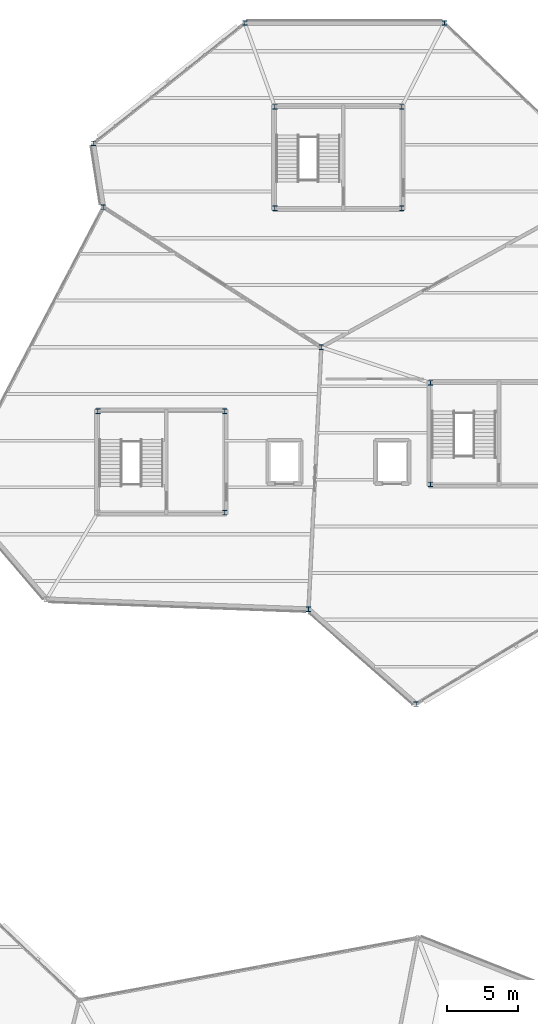
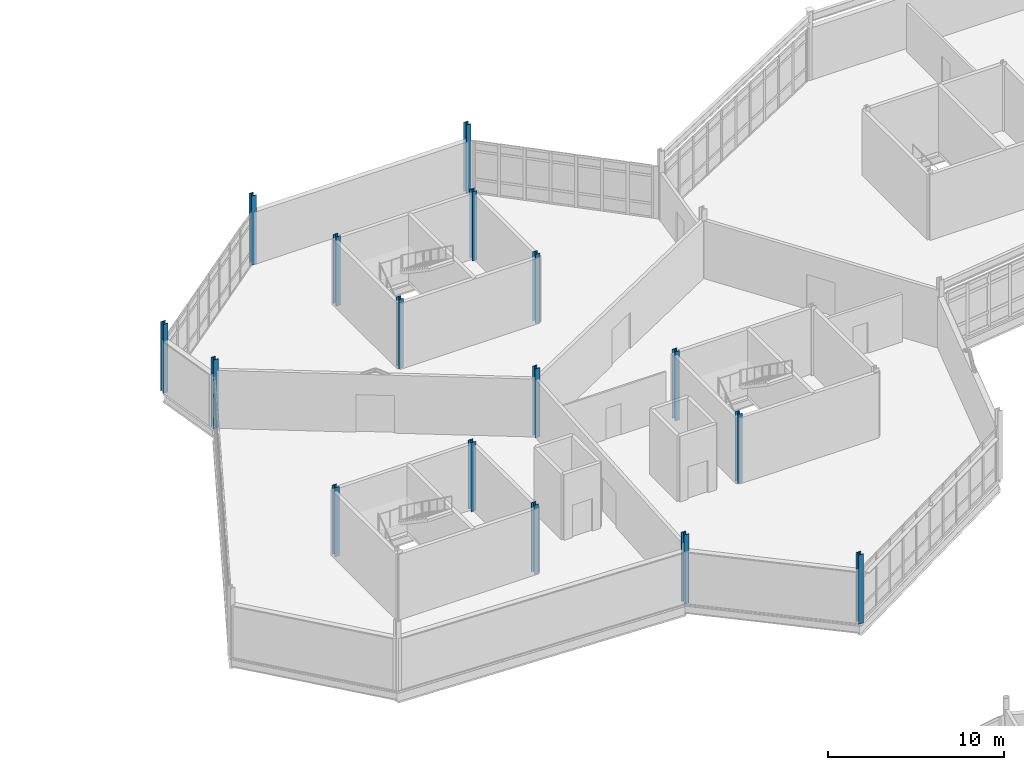
# One storey, part 15 of 114: 16 columns.
"""IFC4 building model written with IfcOpenShell, lengths in metres."""

from ifc_helpers import new_model, si_unit, direction, frame, origin, origin_2d, place, context, subcontext, project, spatial, i_section, extrude, material, material_profile, profile_set, type_object, element, save


model = new_model("IFC4")

# Units and contexts
model_context = context("Model", 3, precision=1e-05, world=origin(), true_north=direction((0.0, 1.0)))
body_context = subcontext(model_context, "Body", "Model", "MODEL_VIEW")
ifc_project = project(units=[si_unit("LENGTHUNIT", "METRE"), si_unit("AREAUNIT", "SQUARE_METRE"), si_unit("VOLUMEUNIT", "CUBIC_METRE"), si_unit("PLANEANGLEUNIT", "RADIAN"), si_unit("MASSUNIT", "GRAM", prefix="KILO")], contexts=[model_context])

# Site, building, storey
site_placement = place(None, origin())
site = spatial("IfcSite", under=ifc_project, at=site_placement, CompositionType="ELEMENT")
building_placement = place(site_placement, origin())
building = spatial("IfcBuilding", under=site, at=building_placement, Name="Tameran Prism Museum", CompositionType="ELEMENT")
storey_placement = place(building_placement, frame((0.0, 0.0, 10.199951171875)))
storey = spatial("IfcBuildingStorey", under=building, at=storey_placement, Name="L02", CompositionType="ELEMENT", Elevation=10.199951171875)

# Columns
ifc_material = material(Name="Steel Grade 350 (350 MPa)", Category="steel")
ifc_material_profile = material_profile(ifc_material, i_section(OverallWidth=0.31103515625, OverallDepth=0.326904296875, WebThickness=0.015625, FlangeThickness=0.02490234375, FilletRadius=0.0166015625, at=origin_2d()))
ifc_profile_set = profile_set([ifc_material_profile])
column_type = type_object("IfcColumnType", Name="COL-UC310A", PredefinedType="COLUMN", material=ifc_profile_set)
for number, where, z_axis, x_axis, name in (
    (1, (102.699951171875, 103.5, 0.0), (0.0, 0.0, 1.0), (1.0, 0.0, 0.0), "Column CV-42 L02"),
    (2, (103.39990234375, 99.0, 0.0), (0.0, 0.0, 1.0), (1.0, 0.0, 0.0), "Column CV-43 L02"),
    (3, (113.39990234375, 112.0, 0.0), (0.0, 0.0, 1.0), (1.0, 0.0, 0.0), "Column CV-45 L02"),
    (4, (117.89990234375, 70.60009765625, 0.0), (0.0, 0.0, 1.0), (1.0, 0.0, 0.0), "Column CV-46 L02"),
    (5, (118.800048828125, 89.10009765625, 0.0), (0.0, 0.0, 1.0), (1.0, 0.0, 0.0), "Column CV-47 L02"),
    (6, (125.5, 63.89990234375, 0.0), (0.0, 0.0, 1.0), (1.0, 0.0, 0.0), "Column CV-49 L02"),
    (7, (127.5, 112.0, 0.0), (0.0, 0.0, 1.0), (1.0, 0.0, 0.0), "Column CV-51 L02"),
    (8, (111.97998046875, 77.419921875, 0.0), (0.0, 0.0, 1.0), (1.0, 0.0, 0.0), "Column CC-1-2 L02"),
    (9, (111.97998046875, 84.580078125, 0.0), (0.0, 0.0, 1.0), (1.0, 0.0, 0.0), "Column CC-1-3 L02"),
    (10, (103.02001953125, 84.580078125, 0.0), (0.0, 0.0, 1.0), (1.0, 0.0, 0.0), "Column CC-1-4 L02"),
    (11, (126.52001953125, 79.419921875, 0.0), (0.0, 0.0, 1.0), (1.0, 0.0, 0.0), "Column CC-2-1 L02"),
    (12, (126.52001953125, 86.580078125, 0.0), (0.0, 0.0, 1.0), (1.0, 0.0, 0.0), "Column CC-2-4 L02"),
    (13, (115.52001953125, 98.919921875, 0.0), (0.0, 0.0, 1.0), (1.0, 0.0, 0.0), "Column CC-7-1 L02"),
    (14, (124.47998046875, 98.919921875, 0.0), (0.0, 0.0, 1.0), (1.0, 0.0, 0.0), "Column CC-7-2 L02"),
    (15, (124.47998046875, 106.080078125, 0.0), (0.0, 0.0, 1.0), (1.0, 0.0, 0.0), "Column CC-7-3 L02"),
    (16, (115.52001953125, 106.080078125, 0.0), (0.0, 0.0, 1.0), (1.0, 0.0, 0.0), "Column CC-7-4 L02"),
):
    element("IfcColumn", number, at=place(storey_placement, frame(where, z_axis=z_axis, x_axis=x_axis)), inside=storey, type_object=column_type, Name=name, PredefinedType="COLUMN", context=body_context, shape_type="SweptSolid", body=[
        extrude(i_section(OverallWidth=0.31103515625, OverallDepth=0.326904296875, WebThickness=0.015625, FlangeThickness=0.02490234375, FilletRadius=0.0166015625, at=origin_2d()), origin(), (0.0, 0.0, 1.0), 4.800048828125),
    ])

save(model, "model.ifc")
